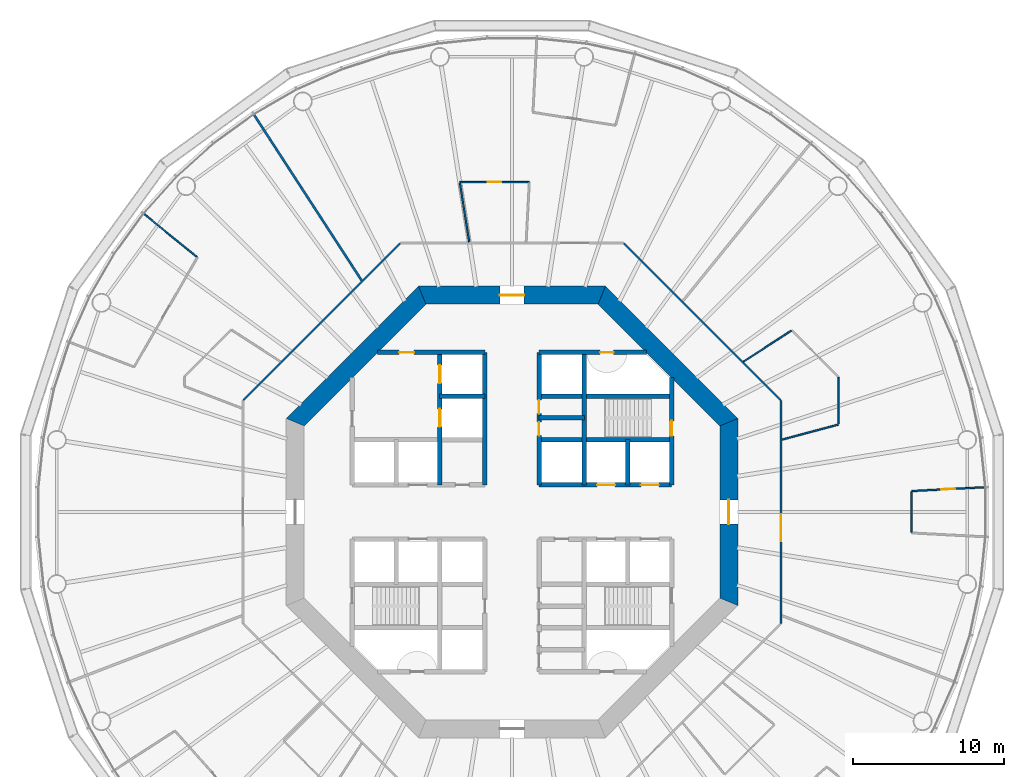
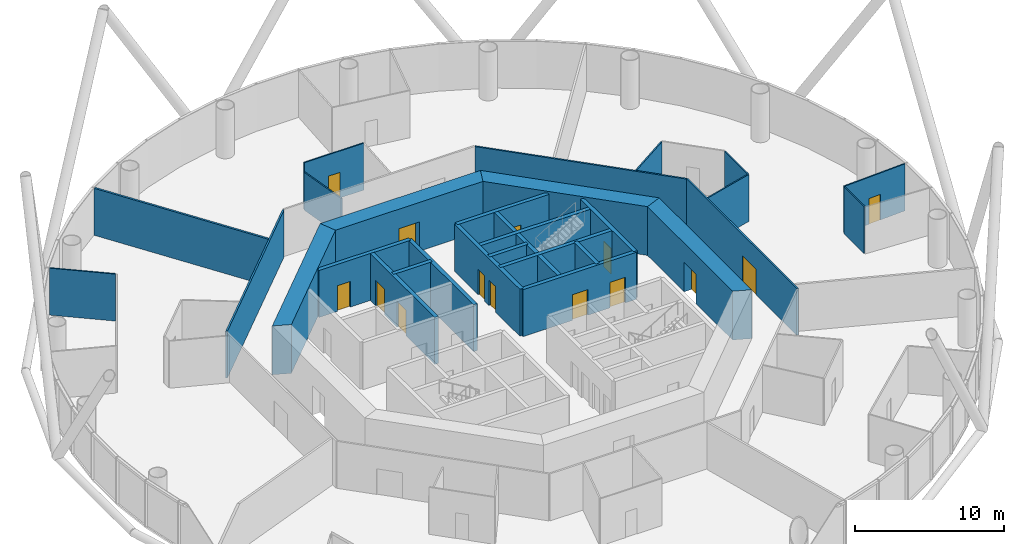
# One storey, part 5 of 13: 29 walls, 14 doors, 14 openings.
"""IFC4 building model written with IfcOpenShell, lengths in metres."""

from ifc_helpers import new_model, si_unit, direction, frame, frame_2d, origin, place, context, subcontext, project, spatial, polyline, rectangle, outline, extrude, material, layer, layer_set, type_object, element, fill, save


model = new_model("IFC4")

# Units and contexts
model_context = context("Model", 3, precision=1e-05, world=origin(), true_north=direction((0.0, 1.0)))
body_context = subcontext(model_context, "Body", "Model", "MODEL_VIEW")
ifc_project = project(units=[si_unit("LENGTHUNIT", "METRE"), si_unit("AREAUNIT", "SQUARE_METRE"), si_unit("VOLUMEUNIT", "CUBIC_METRE"), si_unit("PLANEANGLEUNIT", "RADIAN"), si_unit("MASSUNIT", "GRAM", prefix="KILO")], contexts=[model_context])

# Site, building, storey
site_placement = place(None, origin())
site = spatial("IfcSite", under=ifc_project, at=site_placement, CompositionType="ELEMENT")
building_placement = place(site_placement, origin())
building = spatial("IfcBuilding", under=site, at=building_placement, Name="Entoto Ring Tower", CompositionType="ELEMENT")
storey_placement = place(building_placement, frame((0.0, 0.0, 116.0)))
storey = spatial("IfcBuildingStorey", under=building, at=storey_placement, Name="L26", CompositionType="ELEMENT", Elevation=116.0)

# Wall, opening, door
ifc_material_1 = material(Name="Concrete C40/50", Category="concrete")
ifc_layer_1 = layer(ifc_material_1, 0.300048828125)
ifc_layer_set_1 = layer_set([ifc_layer_1], Name="Concrete C40/50")
wall_type_1 = type_object("IfcWallType", Name="Core enclosure wall 300 mm reinforced concrete", PredefinedType="SOLIDWALL", material=ifc_layer_set_1)
wall_1_placement = place(storey_placement, frame((100.60009765625, 81.800048828125, 0.0), z_axis=(0.0, 0.0, 1.0), x_axis=(0.0, 1.0, 0.0)))
wall_1 = element("IfcWall", 1, at=wall_1_placement, inside=storey, type_object=wall_type_1, Name="wall-L26-002", PredefinedType="SOLIDWALL", context=body_context, shape_type="SweptSolid", body=[
    extrude(rectangle(XDim=7.115966796875, YDim=0.300048828125, at=frame_2d((3.55810546875, 0.0))), origin(), (0.0, 0.0, 1.0), 3.85009765625),
])
opening_1_placement = place(wall_1_placement, frame((3.25, 0.0, 0.0)))
opening_1 = element("IfcOpeningElement", 2, at=opening_1_placement, cuts=wall_1, Name="Opening K-65", PredefinedType="OPENING", context=body_context, shape_type="SweptSolid", body=[
    extrude(rectangle(XDim=1.0, YDim=2.10009765625, at=frame_2d((0.5, 1.050048828125))), frame((0.0, 0.16015625, 0.0), z_axis=(0.0, -1.0, 0.0), x_axis=(1.0, 0.0, 0.0)), (0.0, 0.0, 1.0), 0.320068359375),
])
ifc_material_2 = material(Name="Steel door leaf, fire rated", Category="steel")
ifc_layer_2 = layer(ifc_material_2, 0.050048828125)
ifc_layer_set_2 = layer_set([ifc_layer_2], Name="Steel door leaf, fire rated")
door_type_1 = type_object("IfcDoorType", Name="Fire door FD60 1000 x 2100 single leaf", OperationType="NOTDEFINED", PredefinedType="DOOR", material=ifc_layer_set_2)
door_1_placement = place(opening_1_placement, origin())
door_1 = element("IfcDoor", 3, at=door_1_placement, inside=storey, type_object=door_type_1, Name="Door K-65", OperationType="SINGLE_SWING_RIGHT", OverallHeight=2.10009765625, OverallWidth=1.0, PredefinedType="DOOR", context=body_context, shape_type="SweptSolid", body=[
    extrude(rectangle(XDim=1.0, YDim=2.10009765625, at=frame_2d((0.5, 1.050048828125))), frame((0.0, 0.02490234375, 0.0), z_axis=(0.0, -1.0, 0.0), x_axis=(1.0, 0.0, 0.0)), (0.0, 0.0, 1.0), 0.050048828125),
])
fill(opening_1, door_1)

# Walls
wall_2_placement = place(storey_placement, frame((97.699951171875, 81.800048828125, 0.0), z_axis=(0.0, 0.0, 1.0), x_axis=(0.0, 1.0, 0.0)))
element("IfcWall", 4, at=wall_2_placement, inside=storey, type_object=wall_type_1, Name="wall-L26-004", PredefinedType="SOLIDWALL", context=body_context, shape_type="SweptSolid", body=[
    extrude(rectangle(XDim=3.0, YDim=0.300048828125, at=frame_2d((1.5, 0.0))), origin(), (0.0, 0.0, 1.0), 3.85009765625),
])
wall_3_placement = place(storey_placement, frame((94.800048828125, 81.800048828125, 0.0), z_axis=(0.0, 0.0, 1.0), x_axis=(0.0, 1.0, 0.0)))
element("IfcWall", 5, at=wall_3_placement, inside=storey, type_object=wall_type_1, Name="wall-L26-006", PredefinedType="SOLIDWALL", context=body_context, shape_type="SweptSolid", body=[
    extrude(rectangle(XDim=8.800048828125, YDim=0.300048828125, at=frame_2d((4.39990234375, 0.0))), origin(), (0.0, 0.0, 1.0), 3.85009765625),
])

# Wall, openings, doors
wall_4_placement = place(storey_placement, frame((91.800048828125, 81.800048828125, 0.0), z_axis=(0.0, 0.0, 1.0), x_axis=(0.0, 1.0, 0.0)))
wall_4 = element("IfcWall", 6, at=wall_4_placement, inside=storey, type_object=wall_type_1, Name="wall-L26-008", PredefinedType="SOLIDWALL", context=body_context, shape_type="SweptSolid", body=[
    extrude(rectangle(XDim=8.800048828125, YDim=0.300048828125, at=frame_2d((4.39990234375, 0.0))), origin(), (0.0, 0.0, 1.0), 3.85009765625),
])
opening_2_placement = place(wall_4_placement, frame((3.27490234375, 0.0, 0.0)))
opening_2 = element("IfcOpeningElement", 7, at=opening_2_placement, cuts=wall_4, Name="Opening K-11", PredefinedType="OPENING", context=body_context, shape_type="SweptSolid", body=[
    extrude(rectangle(XDim=0.89990234375, YDim=2.10009765625, at=frame_2d((0.449951171875, 1.050048828125))), frame((0.0, 0.16015625, 0.0), z_axis=(0.0, -1.0, 0.0), x_axis=(1.0, 0.0, 0.0)), (0.0, 0.0, 1.0), 0.320068359375),
])
opening_3_placement = place(wall_4_placement, frame((4.72509765625, 0.0, 0.0)))
opening_3 = element("IfcOpeningElement", 8, at=opening_3_placement, cuts=wall_4, Name="Opening K-12", PredefinedType="OPENING", context=body_context, shape_type="SweptSolid", body=[
    extrude(rectangle(XDim=0.89990234375, YDim=2.10009765625, at=frame_2d((0.449951171875, 1.050048828125))), frame((0.0, 0.16015625, 0.0), z_axis=(0.0, -1.0, 0.0), x_axis=(1.0, 0.0, 0.0)), (0.0, 0.0, 1.0), 0.320068359375),
])
ifc_material_3 = material(Name="Steel door leaf, fire rated", Category="steel")
ifc_layer_3 = layer(ifc_material_3, 0.050048828125)
ifc_layer_set_3 = layer_set([ifc_layer_3], Name="Steel door leaf, fire rated")
door_type_2 = type_object("IfcDoorType", Name="Core door 900 x 2100 single leaf", OperationType="NOTDEFINED", PredefinedType="DOOR", material=ifc_layer_set_3)
door_2_placement = place(opening_2_placement, origin())
door_2 = element("IfcDoor", 9, at=door_2_placement, inside=storey, type_object=door_type_2, Name="Door K-11", OperationType="SINGLE_SWING_RIGHT", OverallHeight=2.10009765625, OverallWidth=0.89990234375, PredefinedType="DOOR", context=body_context, shape_type="SweptSolid", body=[
    extrude(rectangle(XDim=0.89990234375, YDim=2.10009765625, at=frame_2d((0.449951171875, 1.050048828125))), frame((0.0, 0.02490234375, 0.0), z_axis=(0.0, -1.0, 0.0), x_axis=(1.0, 0.0, 0.0)), (0.0, 0.0, 1.0), 0.050048828125),
])
fill(opening_2, door_2)
door_3_placement = place(opening_3_placement, origin())
door_3 = element("IfcDoor", 10, at=door_3_placement, inside=storey, type_object=door_type_2, Name="Door K-12", OperationType="SINGLE_SWING_RIGHT", OverallHeight=2.10009765625, OverallWidth=0.89990234375, PredefinedType="DOOR", context=body_context, shape_type="SweptSolid", body=[
    extrude(rectangle(XDim=0.89990234375, YDim=2.10009765625, at=frame_2d((0.449951171875, 1.050048828125))), frame((0.0, 0.02490234375, 0.0), z_axis=(0.0, -1.0, 0.0), x_axis=(1.0, 0.0, 0.0)), (0.0, 0.0, 1.0), 0.050048828125),
])
fill(opening_3, door_3)

# Wall
wall_5_placement = place(storey_placement, frame((88.199951171875, 81.800048828125, 0.0), z_axis=(0.0, 0.0, 1.0), x_axis=(0.0, 1.0, 0.0)))
element("IfcWall", 11, at=wall_5_placement, inside=storey, type_object=wall_type_1, Name="wall-L26-010", PredefinedType="SOLIDWALL", context=body_context, shape_type="SweptSolid", body=[
    extrude(rectangle(XDim=8.800048828125, YDim=0.300048828125, at=frame_2d((4.39990234375, 0.0))), origin(), (0.0, 0.0, 1.0), 3.85009765625),
])

# Wall, openings, doors
wall_6_placement = place(storey_placement, frame((85.199951171875, 81.800048828125, 0.0), z_axis=(0.0, 0.0, 1.0), x_axis=(0.0, 1.0, 0.0)))
wall_6 = element("IfcWall", 12, at=wall_6_placement, inside=storey, type_object=wall_type_1, Name="wall-L26-012", PredefinedType="SOLIDWALL", context=body_context, shape_type="SweptSolid", body=[
    extrude(rectangle(XDim=8.800048828125, YDim=0.300048828125, at=frame_2d((4.39990234375, 0.0))), origin(), (0.0, 0.0, 1.0), 3.85009765625),
])
opening_4_placement = place(wall_6_placement, frame((3.85009765625, 0.0, 0.0)))
opening_4 = element("IfcOpeningElement", 13, at=opening_4_placement, cuts=wall_6, Name="Opening LD", PredefinedType="OPENING", context=body_context, shape_type="SweptSolid", body=[
    extrude(rectangle(XDim=1.199951171875, YDim=2.10009765625, at=frame_2d((0.60009765625, 1.050048828125))), frame((0.0, 0.16015625, 0.0), z_axis=(0.0, -1.0, 0.0), x_axis=(1.0, 0.0, 0.0)), (0.0, 0.0, 1.0), 0.320068359375),
])
opening_5_placement = place(wall_6_placement, frame((6.75, 0.0, 0.0)))
opening_5 = element("IfcOpeningElement", 14, at=opening_5_placement, cuts=wall_6, Name="Opening LD", PredefinedType="OPENING", context=body_context, shape_type="SweptSolid", body=[
    extrude(rectangle(XDim=1.199951171875, YDim=2.10009765625, at=frame_2d((0.60009765625, 1.050048828125))), frame((0.0, 0.16015625, 0.0), z_axis=(0.0, -1.0, 0.0), x_axis=(1.0, 0.0, 0.0)), (0.0, 0.0, 1.0), 0.320068359375),
])
ifc_material_4 = material(Name="Steel and glass door leaf", Category="steel")
ifc_layer_4 = layer(ifc_material_4, 0.050048828125)
ifc_layer_set_4 = layer_set([ifc_layer_4], Name="Steel and glass door leaf")
door_type_3 = type_object("IfcDoorType", Name="Landing door 1200 x 2100 sliding", OperationType="DOUBLE_DOOR_SLIDING", PredefinedType="DOOR", material=ifc_layer_set_4)
door_4_placement = place(opening_4_placement, origin())
door_4 = element("IfcDoor", 15, at=door_4_placement, inside=storey, type_object=door_type_3, Name="Landing door FF1", OperationType="SLIDING_TO_RIGHT", OverallHeight=2.10009765625, OverallWidth=1.199951171875, PredefinedType="DOOR", context=body_context, shape_type="SweptSolid", body=[
    extrude(rectangle(XDim=1.199951171875, YDim=2.10009765625, at=frame_2d((0.60009765625, 1.050048828125))), frame((0.0, 0.02490234375, 0.0), z_axis=(0.0, -1.0, 0.0), x_axis=(1.0, 0.0, 0.0)), (0.0, 0.0, 1.0), 0.050048828125),
])
fill(opening_4, door_4)
door_5_placement = place(opening_5_placement, origin())
door_5 = element("IfcDoor", 16, at=door_5_placement, inside=storey, type_object=door_type_3, Name="Landing door FF2", OperationType="SLIDING_TO_RIGHT", OverallHeight=2.10009765625, OverallWidth=1.199951171875, PredefinedType="DOOR", context=body_context, shape_type="SweptSolid", body=[
    extrude(rectangle(XDim=1.199951171875, YDim=2.10009765625, at=frame_2d((0.60009765625, 1.050048828125))), frame((0.0, 0.02490234375, 0.0), z_axis=(0.0, -1.0, 0.0), x_axis=(1.0, 0.0, 0.0)), (0.0, 0.0, 1.0), 0.050048828125),
])
fill(opening_5, door_5)

wall_7_placement = place(storey_placement, frame((91.800048828125, 81.800048828125, 0.0), z_axis=(0.0, 0.0, 1.0), x_axis=(1.0, 0.0, 0.0)))
wall_7 = element("IfcWall", 17, at=wall_7_placement, inside=storey, type_object=wall_type_1, Name="wall-L26-028", PredefinedType="SOLIDWALL", context=body_context, shape_type="SweptSolid", body=[
    extrude(rectangle(XDim=8.800048828125, YDim=0.300048828125, at=frame_2d((4.39990234375, 0.0))), origin(), (0.0, 0.0, 1.0), 3.85009765625),
])
opening_6_placement = place(wall_7_placement, frame((3.85009765625, 0.0, 0.0)))
opening_6 = element("IfcOpeningElement", 18, at=opening_6_placement, cuts=wall_7, Name="Opening LD", PredefinedType="OPENING", context=body_context, shape_type="SweptSolid", body=[
    extrude(rectangle(XDim=1.199951171875, YDim=2.10009765625, at=frame_2d((0.60009765625, 1.050048828125))), frame((0.0, 0.16015625, 0.0), z_axis=(0.0, -1.0, 0.0), x_axis=(1.0, 0.0, 0.0)), (0.0, 0.0, 1.0), 0.320068359375),
])
opening_7_placement = place(wall_7_placement, frame((6.75, 0.0, 0.0)))
opening_7 = element("IfcOpeningElement", 19, at=opening_7_placement, cuts=wall_7, Name="Opening LD", PredefinedType="OPENING", context=body_context, shape_type="SweptSolid", body=[
    extrude(rectangle(XDim=1.199951171875, YDim=2.10009765625, at=frame_2d((0.60009765625, 1.050048828125))), frame((0.0, 0.16015625, 0.0), z_axis=(0.0, -1.0, 0.0), x_axis=(1.0, 0.0, 0.0)), (0.0, 0.0, 1.0), 0.320068359375),
])
door_6_placement = place(opening_6_placement, origin())
door_6 = element("IfcDoor", 20, at=door_6_placement, inside=storey, type_object=door_type_3, Name="Landing door LB1-LR", OperationType="SLIDING_TO_RIGHT", OverallHeight=2.10009765625, OverallWidth=1.199951171875, PredefinedType="DOOR", context=body_context, shape_type="SweptSolid", body=[
    extrude(rectangle(XDim=1.199951171875, YDim=2.10009765625, at=frame_2d((0.60009765625, 1.050048828125))), frame((0.0, 0.02490234375, 0.0), z_axis=(0.0, -1.0, 0.0), x_axis=(1.0, 0.0, 0.0)), (0.0, 0.0, 1.0), 0.050048828125),
])
fill(opening_6, door_6)
door_7_placement = place(opening_7_placement, origin())
door_7 = element("IfcDoor", 21, at=door_7_placement, inside=storey, type_object=door_type_3, Name="Landing door LB2-LR", OperationType="SLIDING_TO_RIGHT", OverallHeight=2.10009765625, OverallWidth=1.199951171875, PredefinedType="DOOR", context=body_context, shape_type="SweptSolid", body=[
    extrude(rectangle(XDim=1.199951171875, YDim=2.10009765625, at=frame_2d((0.60009765625, 1.050048828125))), frame((0.0, 0.02490234375, 0.0), z_axis=(0.0, -1.0, 0.0), x_axis=(1.0, 0.0, 0.0)), (0.0, 0.0, 1.0), 0.050048828125),
])
fill(opening_7, door_7)

# Walls
wall_8_placement = place(storey_placement, frame((91.800048828125, 84.800048828125, 0.0), z_axis=(0.0, 0.0, 1.0), x_axis=(1.0, 0.0, 0.0)))
element("IfcWall", 22, at=wall_8_placement, inside=storey, type_object=wall_type_1, Name="wall-L26-030", PredefinedType="SOLIDWALL", context=body_context, shape_type="SweptSolid", body=[
    extrude(rectangle(XDim=8.800048828125, YDim=0.300048828125, at=frame_2d((4.39990234375, 0.0))), origin(), (0.0, 0.0, 1.0), 3.85009765625),
])
for number, where, z_axis, x_axis, name in (
    (23, (91.800048828125, 86.25, 0.0), (0.0, 0.0, 1.0), (1.0, 0.0, 0.0), "wall-L26-031"),
    (24, (85.199951171875, 87.699951171875, 0.0), (0.0, 0.0, 1.0), (1.0, 0.0, 0.0), "wall-L26-032"),
):
    element("IfcWall", number, at=place(storey_placement, frame(where, z_axis=z_axis, x_axis=x_axis)), inside=storey, type_object=wall_type_1, Name=name, PredefinedType="SOLIDWALL", context=body_context, shape_type="SweptSolid", body=[
        extrude(rectangle(XDim=3.0, YDim=0.300048828125, at=frame_2d((1.5, 0.0))), origin(), (0.0, 0.0, 1.0), 3.85009765625),
    ])
wall_9_placement = place(storey_placement, frame((91.800048828125, 87.699951171875, 0.0), z_axis=(0.0, 0.0, 1.0), x_axis=(1.0, 0.0, 0.0)))
element("IfcWall", 25, at=wall_9_placement, inside=storey, type_object=wall_type_1, Name="wall-L26-033", PredefinedType="SOLIDWALL", context=body_context, shape_type="SweptSolid", body=[
    extrude(rectangle(XDim=8.800048828125, YDim=0.300048828125, at=frame_2d((4.39990234375, 0.0))), origin(), (0.0, 0.0, 1.0), 3.85009765625),
])

# Wall, opening, door
wall_10_placement = place(storey_placement, frame((81.083984375, 90.60009765625, 0.0), z_axis=(0.0, 0.0, 1.0), x_axis=(1.0, 0.0, 0.0)))
wall_10 = element("IfcWall", 26, at=wall_10_placement, inside=storey, type_object=wall_type_1, Name="wall-L26-034", PredefinedType="SOLIDWALL", context=body_context, shape_type="SweptSolid", body=[
    extrude(rectangle(XDim=7.115966796875, YDim=0.300048828125, at=frame_2d((3.55810546875, 0.0))), origin(), (0.0, 0.0, 1.0), 3.85009765625),
])
opening_8_placement = place(wall_10_placement, frame((1.416015625, 0.0, 0.0)))
opening_8 = element("IfcOpeningElement", 27, at=opening_8_placement, cuts=wall_10, Name="Opening K-27", PredefinedType="OPENING", context=body_context, shape_type="SweptSolid", body=[
    extrude(rectangle(XDim=1.0, YDim=2.10009765625, at=frame_2d((0.5, 1.050048828125))), frame((0.0, 0.16015625, 0.0), z_axis=(0.0, -1.0, 0.0), x_axis=(1.0, 0.0, 0.0)), (0.0, 0.0, 1.0), 0.320068359375),
])
door_8_placement = place(opening_8_placement, frame((1.0, 0.0, 0.0), z_axis=(0.0, 0.0, 1.0), x_axis=(-1.0, 0.0, 0.0)))
door_8 = element("IfcDoor", 28, at=door_8_placement, inside=storey, type_object=door_type_1, Name="Door K-27", OperationType="SINGLE_SWING_RIGHT", OverallHeight=2.10009765625, OverallWidth=1.0, PredefinedType="DOOR", context=body_context, shape_type="SweptSolid", body=[
    extrude(rectangle(XDim=1.0, YDim=2.10009765625, at=frame_2d((0.5, 1.050048828125))), frame((0.0, 0.02490234375, 0.0), z_axis=(0.0, -1.0, 0.0), x_axis=(1.0, 0.0, 0.0)), (0.0, 0.0, 1.0), 0.050048828125),
])
fill(opening_8, door_8)

wall_11_placement = place(storey_placement, frame((91.800048828125, 90.60009765625, 0.0), z_axis=(0.0, 0.0, 1.0), x_axis=(1.0, 0.0, 0.0)))
wall_11 = element("IfcWall", 29, at=wall_11_placement, inside=storey, type_object=wall_type_1, Name="wall-L26-035", PredefinedType="SOLIDWALL", context=body_context, shape_type="SweptSolid", body=[
    extrude(rectangle(XDim=7.115966796875, YDim=0.300048828125, at=frame_2d((3.55810546875, 0.0))), origin(), (0.0, 0.0, 1.0), 3.85009765625),
])
opening_9_placement = place(wall_11_placement, frame((4.050048828125, 0.0, 0.0)))
opening_9 = element("IfcOpeningElement", 30, at=opening_9_placement, cuts=wall_11, Name="Opening K-72", PredefinedType="OPENING", context=body_context, shape_type="SweptSolid", body=[
    extrude(rectangle(XDim=0.89990234375, YDim=2.10009765625, at=frame_2d((0.449951171875, 1.050048828125))), frame((0.0, 0.16015625, 0.0), z_axis=(0.0, -1.0, 0.0), x_axis=(1.0, 0.0, 0.0)), (0.0, 0.0, 1.0), 0.320068359375),
])
ifc_material_5 = material(Name="Steel door leaf, fire rated", Category="steel")
ifc_layer_5 = layer(ifc_material_5, 0.050048828125)
ifc_layer_set_5 = layer_set([ifc_layer_5], Name="Steel door leaf, fire rated")
door_type_4 = type_object("IfcDoorType", Name="Riser door FD60 900 x 2100 single leaf", OperationType="NOTDEFINED", PredefinedType="DOOR", material=ifc_layer_set_5)
door_9_placement = place(opening_9_placement, frame((0.89990234375, 0.0, 0.0), z_axis=(0.0, 0.0, 1.0), x_axis=(-1.0, 0.0, 0.0)))
door_9 = element("IfcDoor", 31, at=door_9_placement, inside=storey, type_object=door_type_4, Name="Door K-72", OperationType="SINGLE_SWING_LEFT", OverallHeight=2.10009765625, OverallWidth=0.89990234375, PredefinedType="DOOR", context=body_context, shape_type="SweptSolid", body=[
    extrude(rectangle(XDim=0.89990234375, YDim=2.10009765625, at=frame_2d((0.449951171875, 1.050048828125))), frame((0.0, 0.02490234375, 0.0), z_axis=(0.0, -1.0, 0.0), x_axis=(1.0, 0.0, 0.0)), (0.0, 0.0, 1.0), 0.050048828125),
])
fill(opening_9, door_9)

ifc_material_6 = material(Name="Concrete C60/75", Category="concrete")
ifc_layer_6 = layer(ifc_material_6, 1.199951171875)
ifc_layer_set_6 = layer_set([ifc_layer_6], Name="Concrete C60/75")
wall_type_2 = type_object("IfcWallType", Name="Core shear wall 1200 mm reinforced concrete C60/75", PredefinedType="SHEAR", material=ifc_layer_set_6)
wall_12_placement = place(storey_placement, frame((104.39990234375, 74.035400390625, 0.0), z_axis=(0.0, 0.0, 1.0), x_axis=(0.0, 1.0, 0.0)))
wall_12 = element("IfcWall", 32, at=wall_12_placement, inside=storey, type_object=wall_type_2, Name="wall-L26-core-0", PredefinedType="SHEAR", context=body_context, shape_type="SweptSolid", body=[
    extrude(outline(polyline([(-0.24853515625, -0.60009765625), (12.177734375, -0.60009765625), (11.6806640625, 0.60009765625), (0.24853515625, 0.60009765625), (-0.24853515625, -0.60009765625)])), origin(), (0.0, 0.0, 1.0), 4.0),
])
opening_10_placement = place(wall_12_placement, frame((5.164794921875, 0.0, 0.0)))
opening_10 = element("IfcOpeningElement", 33, at=opening_10_placement, cuts=wall_12, Name="Opening K-01", PredefinedType="OPENING", context=body_context, shape_type="SweptSolid", body=[
    extrude(rectangle(XDim=1.60009765625, YDim=2.39990234375, at=frame_2d((0.800048828125, 1.199951171875))), frame((0.0, 0.60986328125, 0.0), z_axis=(0.0, -1.0, 0.0), x_axis=(1.0, 0.0, 0.0)), (0.0, 0.0, 1.0), 1.219970703125),
])
ifc_material_7 = material(Name="Steel door leaf, fire rated", Category="steel")
ifc_layer_7 = layer(ifc_material_7, 0.050048828125)
ifc_layer_set_7 = layer_set([ifc_layer_7], Name="Steel door leaf, fire rated")
door_type_5 = type_object("IfcDoorType", Name="Entrance door FD60 1600 x 2400 double leaf", OperationType="DOUBLE_DOOR_SINGLE_SWING", PredefinedType="DOOR", material=ifc_layer_set_7)
door_10_placement = place(opening_10_placement, origin())
door_10 = element("IfcDoor", 34, at=door_10_placement, inside=storey, type_object=door_type_5, Name="Entrance door K-01", OperationType="DOUBLE_DOOR_SINGLE_SWING", OverallHeight=2.39990234375, OverallWidth=1.60009765625, PredefinedType="DOOR", context=body_context, shape_type="SweptSolid", body=[
    extrude(rectangle(XDim=1.60009765625, YDim=2.39990234375, at=frame_2d((0.800048828125, 1.199951171875))), frame((0.0, 0.02490234375, 0.0), z_axis=(0.0, -1.0, 0.0), x_axis=(1.0, 0.0, 0.0)), (0.0, 0.0, 1.0), 0.050048828125),
])
fill(opening_10, door_10)

# Wall
wall_13_placement = place(storey_placement, frame((104.39990234375, 85.964599609375, 0.0), z_axis=(0.0, 0.0, 1.0), x_axis=(-0.707106781187, 0.707106781187, 0.0)))
element("IfcWall", 35, at=wall_13_placement, inside=storey, type_object=wall_type_2, Name="wall-L26-core-1", PredefinedType="SHEAR", context=body_context, shape_type="SweptSolid", body=[
    extrude(outline(polyline([(-0.24853515625, -0.60009765625), (12.177734375, -0.60009765625), (11.6806640625, 0.60009765625), (0.24853515625, 0.60009765625), (-0.24853515625, -0.60009765625)])), origin(), (0.0, 0.0, 1.0), 4.0),
])

# Wall, opening, door
wall_14_placement = place(storey_placement, frame((95.964599609375, 94.39990234375, 0.0), z_axis=(0.0, 0.0, 1.0), x_axis=(-1.0, 0.0, 0.0)))
wall_14 = element("IfcWall", 36, at=wall_14_placement, inside=storey, type_object=wall_type_2, Name="wall-L26-core-2", PredefinedType="SHEAR", context=body_context, shape_type="SweptSolid", body=[
    extrude(outline(polyline([(-0.24853515625, -0.60009765625), (12.177734375, -0.60009765625), (11.6806640625, 0.60009765625), (0.24853515625, 0.60009765625), (-0.24853515625, -0.60009765625)])), origin(), (0.0, 0.0, 1.0), 4.0),
])
opening_11_placement = place(wall_14_placement, frame((5.164794921875, 0.0, 0.0)))
opening_11 = element("IfcOpeningElement", 37, at=opening_11_placement, cuts=wall_14, Name="Opening K-02", PredefinedType="OPENING", context=body_context, shape_type="SweptSolid", body=[
    extrude(rectangle(XDim=1.60009765625, YDim=2.39990234375, at=frame_2d((0.800048828125, 1.199951171875))), frame((0.0, 0.60986328125, 0.0), z_axis=(0.0, -1.0, 0.0), x_axis=(1.0, 0.0, 0.0)), (0.0, 0.0, 1.0), 1.219970703125),
])
door_11_placement = place(opening_11_placement, origin())
door_11 = element("IfcDoor", 38, at=door_11_placement, inside=storey, type_object=door_type_5, Name="Entrance door K-02", OperationType="DOUBLE_DOOR_SINGLE_SWING", OverallHeight=2.39990234375, OverallWidth=1.60009765625, PredefinedType="DOOR", context=body_context, shape_type="SweptSolid", body=[
    extrude(rectangle(XDim=1.60009765625, YDim=2.39990234375, at=frame_2d((0.800048828125, 1.199951171875))), frame((0.0, 0.02490234375, 0.0), z_axis=(0.0, -1.0, 0.0), x_axis=(1.0, 0.0, 0.0)), (0.0, 0.0, 1.0), 0.050048828125),
])
fill(opening_11, door_11)

# Wall
wall_15_placement = place(storey_placement, frame((84.035400390625, 94.39990234375, 0.0), z_axis=(0.0, 0.0, 1.0), x_axis=(-0.707106781187, -0.707106781187, 0.0)))
element("IfcWall", 39, at=wall_15_placement, inside=storey, type_object=wall_type_2, Name="wall-L26-core-3", PredefinedType="SHEAR", context=body_context, shape_type="SweptSolid", body=[
    extrude(outline(polyline([(-0.24853515625, -0.60009765625), (12.177734375, -0.60009765625), (11.6806640625, 0.60009765625), (0.24853515625, 0.60009765625), (-0.24853515625, -0.60009765625)])), origin(), (0.0, 0.0, 1.0), 4.0),
])

# Wall, opening, door
ifc_material_8 = material(Name="Fire-resisting plasterboard on steel studs", Category="steel")
ifc_layer_8 = layer(ifc_material_8, 0.125)
ifc_layer_set_8 = layer_set([ifc_layer_8], Name="Fire-resisting plasterboard on steel studs")
wall_type_3 = type_object("IfcWallType", Name="Corridor wall 125 mm one-hour plasterboard on steel studs", PredefinedType="PARTITIONING", material=ifc_layer_set_8)
wall_16_placement = place(storey_placement, frame((107.862548828125, 72.60107421875, 0.0), z_axis=(0.0, 0.0, 1.0), x_axis=(0.0, 1.0, 0.0)))
wall_16 = element("IfcWall", 40, at=wall_16_placement, inside=storey, type_object=wall_type_3, Name="partition-L26-004", PredefinedType="PARTITIONING", context=body_context, shape_type="SweptSolid", body=[
    extrude(rectangle(XDim=14.7978515625, YDim=0.125, at=frame_2d((7.39892578125, 0.0))), origin(), (0.0, 0.0, 1.0), 3.85009765625),
])
opening_12_placement = place(wall_16_placement, frame((5.463623046875, 0.0, 0.0)))
opening_12 = element("IfcOpeningElement", 41, at=opening_12_placement, cuts=wall_16, Name="Opening A11-D01", PredefinedType="OPENING", context=body_context, shape_type="SweptSolid", body=[
    extrude(rectangle(XDim=1.800048828125, YDim=2.10009765625, at=frame_2d((0.89990234375, 1.050048828125))), frame((0.0, 0.072509765625, 0.0), z_axis=(0.0, -1.0, 0.0), x_axis=(1.0, 0.0, 0.0)), (0.0, 0.0, 1.0), 0.14501953125),
])
ifc_material_9 = material(Name="Fire-resisting timber door set", Category="wood")
door_type_6 = type_object("IfcDoorType", Name="Door 1800 x 2100 double leaf FD30S fire door", OperationType="DOUBLE_DOOR_SINGLE_SWING", PredefinedType="DOOR", material=ifc_material_9)
door_12_placement = place(opening_12_placement, frame((1.800048828125, 0.0, 0.0), z_axis=(0.0, 0.0, 1.0), x_axis=(-1.0, 0.0, 0.0)))
door_12 = element("IfcDoor", 42, at=door_12_placement, inside=storey, type_object=door_type_6, Name="Door A11-D01", OperationType="DOUBLE_DOOR_SINGLE_SWING", OverallHeight=2.10009765625, OverallWidth=1.800048828125, PredefinedType="DOOR", context=body_context, shape_type="SweptSolid", body=[
    extrude(rectangle(XDim=1.800048828125, YDim=2.10009765625, at=frame_2d((0.89990234375, 1.050048828125))), frame((0.0, 0.02490234375, 0.0), z_axis=(0.0, -1.0, 0.0), x_axis=(1.0, 0.0, 0.0)), (0.0, 0.0, 1.0), 0.050048828125),
])
fill(opening_12, door_12)

# Walls
for number, where, z_axis, x_axis, name in (
    (43, (72.168701171875, 87.429931640625, 0.0), (0.0, 0.0, 1.0), (0.707106781187, 0.707106781187, 0.0), "partition-L26-005"),
    (44, (107.831298828125, 87.429931640625, 0.0), (0.0, 0.0, 1.0), (-0.707106781187, 0.707106781187, 0.0), "partition-L26-008"),
):
    element("IfcWall", number, at=place(storey_placement, frame(where, z_axis=z_axis, x_axis=x_axis)), inside=storey, type_object=wall_type_3, Name=name, PredefinedType="PARTITIONING", context=body_context, shape_type="SweptSolid", body=[
        extrude(rectangle(XDim=14.709716796875, YDim=0.125, at=frame_2d((7.35498046875, 0.0))), origin(), (0.0, 0.0, 1.0), 3.85009765625),
    ])

# Wall, opening, door
ifc_material_10 = material(Name="Plasterboard on steel studs", Category="steel")
ifc_layer_9 = layer(ifc_material_10, 0.10009765625)
ifc_layer_set_9 = layer_set([ifc_layer_9], Name="Plasterboard on steel studs")
wall_type_4 = type_object("IfcWallType", Name="Partition 100 mm plasterboard on steel studs", PredefinedType="PARTITIONING", material=ifc_layer_set_9)
wall_17_placement = place(storey_placement, frame((116.543701171875, 81.39111328125, 0.0), z_axis=(0.0, 0.0, 1.0), x_axis=(0.998629047007, 0.052345262185, 0.0)))
wall_17 = element("IfcWall", 45, at=wall_17_placement, inside=storey, type_object=wall_type_4, Name="partition-L26-020", PredefinedType="PARTITIONING", context=body_context, shape_type="SweptSolid", body=[
    extrude(rectangle(XDim=4.85986328125, YDim=0.10009765625, at=frame_2d((2.429931640625, 0.0))), origin(), (0.0, 0.0, 1.0), 3.85009765625),
])
opening_13_placement = place(wall_17_placement, frame((1.97998046875, 0.0, 0.0)))
opening_13 = element("IfcOpeningElement", 46, at=opening_13_placement, cuts=wall_17, Name="Opening A11-D03", PredefinedType="OPENING", context=body_context, shape_type="SweptSolid", body=[
    extrude(rectangle(XDim=0.89990234375, YDim=2.10009765625, at=frame_2d((0.449951171875, 1.050048828125))), frame((0.0, 0.06005859375, 0.0), z_axis=(0.0, -1.0, 0.0), x_axis=(1.0, 0.0, 0.0)), (0.0, 0.0, 1.0), 0.1201171875),
])
ifc_material_11 = material(Name="Veneered timber door leaf in timber frame", Category="wood")
door_type_7 = type_object("IfcDoorType", Name="Door 900 x 2100 single leaf timber veneer", OperationType="NOTDEFINED", PredefinedType="DOOR", material=ifc_material_11)
door_13_placement = place(opening_13_placement, frame((0.89990234375, 0.0, 0.0), z_axis=(0.0, 0.0, 1.0), x_axis=(-1.0, 0.0, 0.0)))
door_13 = element("IfcDoor", 47, at=door_13_placement, inside=storey, type_object=door_type_7, Name="Door A11-D03", OperationType="SINGLE_SWING_LEFT", OverallHeight=2.10009765625, OverallWidth=0.89990234375, PredefinedType="DOOR", context=body_context, shape_type="SweptSolid", body=[
    extrude(rectangle(XDim=0.89990234375, YDim=2.10009765625, at=frame_2d((0.449951171875, 1.050048828125))), frame((0.0, 0.02490234375, 0.0), z_axis=(0.0, -1.0, 0.0), x_axis=(1.0, 0.0, 0.0)), (0.0, 0.0, 1.0), 0.050048828125),
])
fill(opening_13, door_13)

wall_18_placement = place(storey_placement, frame((86.529296875, 101.91259765625, 0.0), z_axis=(0.0, 0.0, 1.0), x_axis=(1.0, 0.0, 0.0)))
wall_18 = element("IfcWall", 48, at=wall_18_placement, inside=storey, type_object=wall_type_4, Name="partition-L26-026", PredefinedType="PARTITIONING", context=body_context, shape_type="SweptSolid", body=[
    extrude(rectangle(XDim=4.619140625, YDim=0.10009765625, at=frame_2d((2.3095703125, 0.0))), origin(), (0.0, 0.0, 1.0), 3.85009765625),
])
opening_14_placement = place(wall_18_placement, frame((1.859619140625, 0.0, 0.0)))
opening_14 = element("IfcOpeningElement", 49, at=opening_14_placement, cuts=wall_18, Name="Opening A11-D05", PredefinedType="OPENING", context=body_context, shape_type="SweptSolid", body=[
    extrude(rectangle(XDim=0.89990234375, YDim=2.10009765625, at=frame_2d((0.449951171875, 1.050048828125))), frame((0.0, 0.06005859375, 0.0), z_axis=(0.0, -1.0, 0.0), x_axis=(1.0, 0.0, 0.0)), (0.0, 0.0, 1.0), 0.1201171875),
])
door_14_placement = place(opening_14_placement, frame((0.89990234375, 0.0, 0.0), z_axis=(0.0, 0.0, 1.0), x_axis=(-1.0, 0.0, 0.0)))
door_14 = element("IfcDoor", 50, at=door_14_placement, inside=storey, type_object=door_type_7, Name="Door A11-D05", OperationType="SINGLE_SWING_RIGHT", OverallHeight=2.10009765625, OverallWidth=0.89990234375, PredefinedType="DOOR", context=body_context, shape_type="SweptSolid", body=[
    extrude(rectangle(XDim=0.89990234375, YDim=2.10009765625, at=frame_2d((0.449951171875, 1.050048828125))), frame((0.0, 0.02490234375, 0.0), z_axis=(0.0, -1.0, 0.0), x_axis=(1.0, 0.0, 0.0)), (0.0, 0.0, 1.0), 0.050048828125),
])
fill(opening_14, door_14)

# Walls
wall_19_placement = place(storey_placement, frame((69.072021484375, 96.947265625, 0.0), z_axis=(0.0, 0.0, 1.0), x_axis=(-0.777164197558, 0.629297870674, 0.0)))
element("IfcWall", 51, at=wall_19_placement, inside=storey, type_object=wall_type_4, Name="partition-L26-028", PredefinedType="PARTITIONING", context=body_context, shape_type="SweptSolid", body=[
    extrude(rectangle(XDim=4.5107421875, YDim=0.10009765625, at=frame_2d((2.25537109375, 0.0))), origin(), (0.0, 0.0, 1.0), 3.85009765625),
])
wall_20_placement = place(storey_placement, frame((107.937744140625, 84.806396484375, 0.0), z_axis=(0.0, 0.0, 1.0), x_axis=(0.965927195574, 0.258813934806, 0.0)))
element("IfcWall", 52, at=wall_20_placement, inside=storey, type_object=wall_type_4, Name="partition-L26-042", PredefinedType="PARTITIONING", context=body_context, shape_type="SweptSolid", body=[
    extrude(rectangle(XDim=3.86669921875, YDim=0.10009765625, at=frame_2d((1.933349609375, 0.0))), origin(), (0.0, 0.0, 1.0), 3.85009765625),
])
wall_21_placement = place(storey_placement, frame((105.377685546875, 89.986572265625, 0.0), z_axis=(0.0, 0.0, 1.0), x_axis=(0.838700828567, 0.54459243491, 0.0)))
element("IfcWall", 53, at=wall_21_placement, inside=storey, type_object=wall_type_4, Name="partition-L26-043", PredefinedType="PARTITIONING", context=body_context, shape_type="SweptSolid", body=[
    extrude(rectangle(XDim=3.77197265625, YDim=0.10009765625, at=frame_2d((1.885986328125, 0.0))), origin(), (0.0, 0.0, 1.0), 3.85009765625),
])
wall_22_placement = place(storey_placement, frame((111.672607421875, 85.855224609375, 0.0), z_axis=(0.0, 0.0, 1.0), x_axis=(0.0, 1.0, 0.0)))
element("IfcWall", 54, at=wall_22_placement, inside=storey, type_object=wall_type_4, Name="partition-L26-046", PredefinedType="PARTITIONING", context=body_context, shape_type="SweptSolid", body=[
    extrude(rectangle(XDim=3.086669921875, YDim=0.10009765625, at=frame_2d((1.54345703125, 0.0))), origin(), (0.0, 0.0, 1.0), 3.85009765625),
])
wall_23_placement = place(storey_placement, frame((116.543701171875, 78.65869140625, 0.0), z_axis=(0.0, 0.0, 1.0), x_axis=(0.0, 1.0, 0.0)))
element("IfcWall", 55, at=wall_23_placement, inside=storey, type_object=wall_type_4, Name="partition-L26-047", PredefinedType="PARTITIONING", context=body_context, shape_type="SweptSolid", body=[
    extrude(rectangle(XDim=2.6826171875, YDim=0.10009765625, at=frame_2d((1.34130859375, 0.0))), origin(), (0.0, 0.0, 1.0), 3.85009765625),
])
ifc_material_12 = material(Name="Plasterboard on steel studs", Category="steel")
ifc_layer_10 = layer(ifc_material_12, 0.10009765625)
ifc_layer_set_10 = layer_set([ifc_layer_10], Name="Plasterboard on steel studs")
wall_type_5 = type_object("IfcWallType", Name="Partition 100 mm plasterboard on steel studs, 3097 mm high", PredefinedType="PARTITIONING", material=ifc_layer_set_10)
wall_24_placement = place(storey_placement, frame((87.15966796875, 97.9326171875, 0.0), z_axis=(0.0, 0.0, 1.0), x_axis=(-0.156407713448, 0.98769257726, 0.0)))
element("IfcWall", 56, at=wall_24_placement, inside=storey, type_object=wall_type_5, Name="partition-L26-039", PredefinedType="PARTITIONING", context=body_context, shape_type="SweptSolid", body=[
    extrude(rectangle(XDim=3.970947265625, YDim=0.10009765625, at=frame_2d((1.9853515625, 0.0))), origin(), (0.0, 0.0, 1.0), 3.096923828125),
])
ifc_material_13 = material(Name="Fire-resisting acoustic plasterboard on steel studs", Category="steel")
ifc_layer_11 = layer(ifc_material_13, 0.14990234375)
ifc_layer_set_11 = layer_set([ifc_layer_11], Name="Fire-resisting acoustic plasterboard on steel studs")
wall_type_6 = type_object("IfcWallType", Name="Party wall 150 mm one-hour acoustic plasterboard on steel studs", PredefinedType="PARTITIONING", material=ifc_layer_set_11)
wall_25_placement = place(storey_placement, frame((80.010498046875, 95.38232421875, 0.0), z_axis=(0.0, 0.0, 1.0), x_axis=(-0.544633876721, 0.838673917758, 0.0)))
element("IfcWall", 57, at=wall_25_placement, inside=storey, type_object=wall_type_6, Name="partition-L26-010", PredefinedType="PARTITIONING", context=body_context, shape_type="SweptSolid", body=[
    extrude(rectangle(XDim=13.098876953125, YDim=0.14990234375, at=frame_2d((6.54931640625, 0.0))), origin(), (0.0, 0.0, 1.0), 3.85009765625),
])

save(model, "model.ifc")
